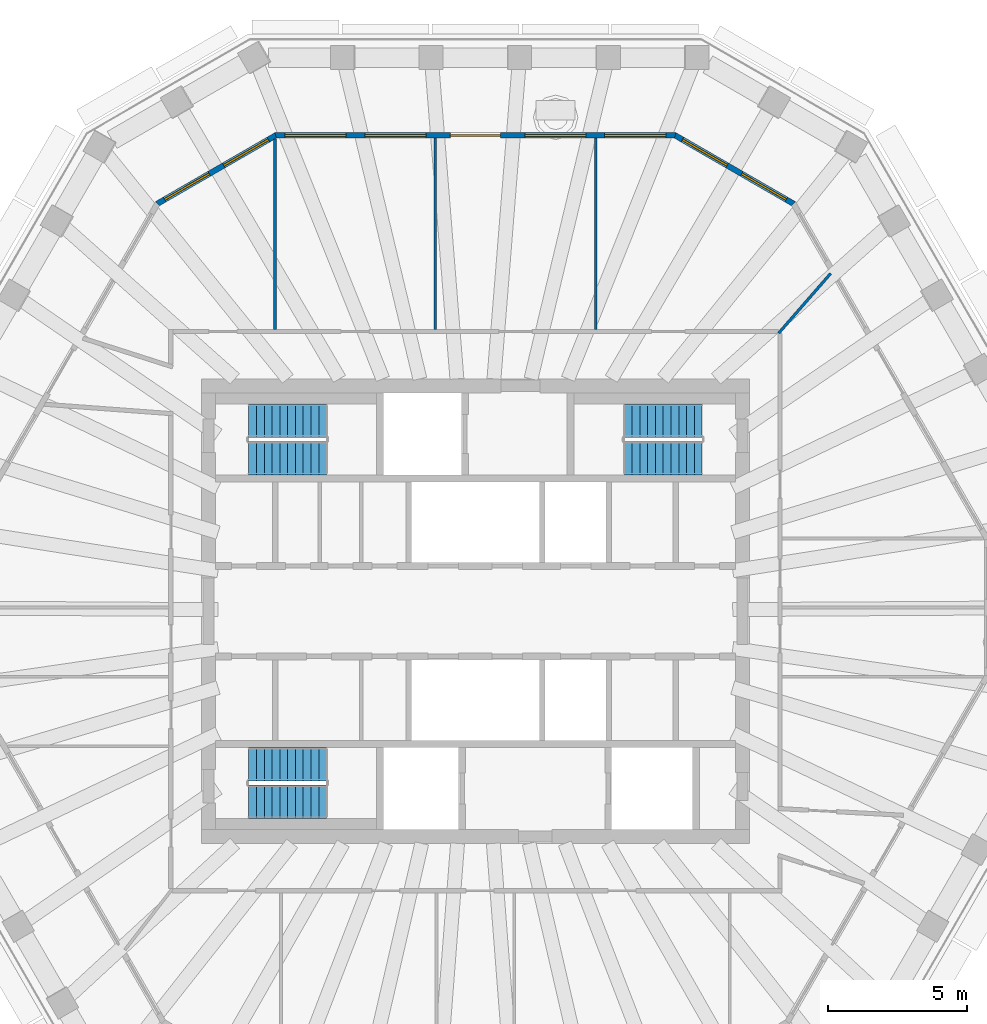
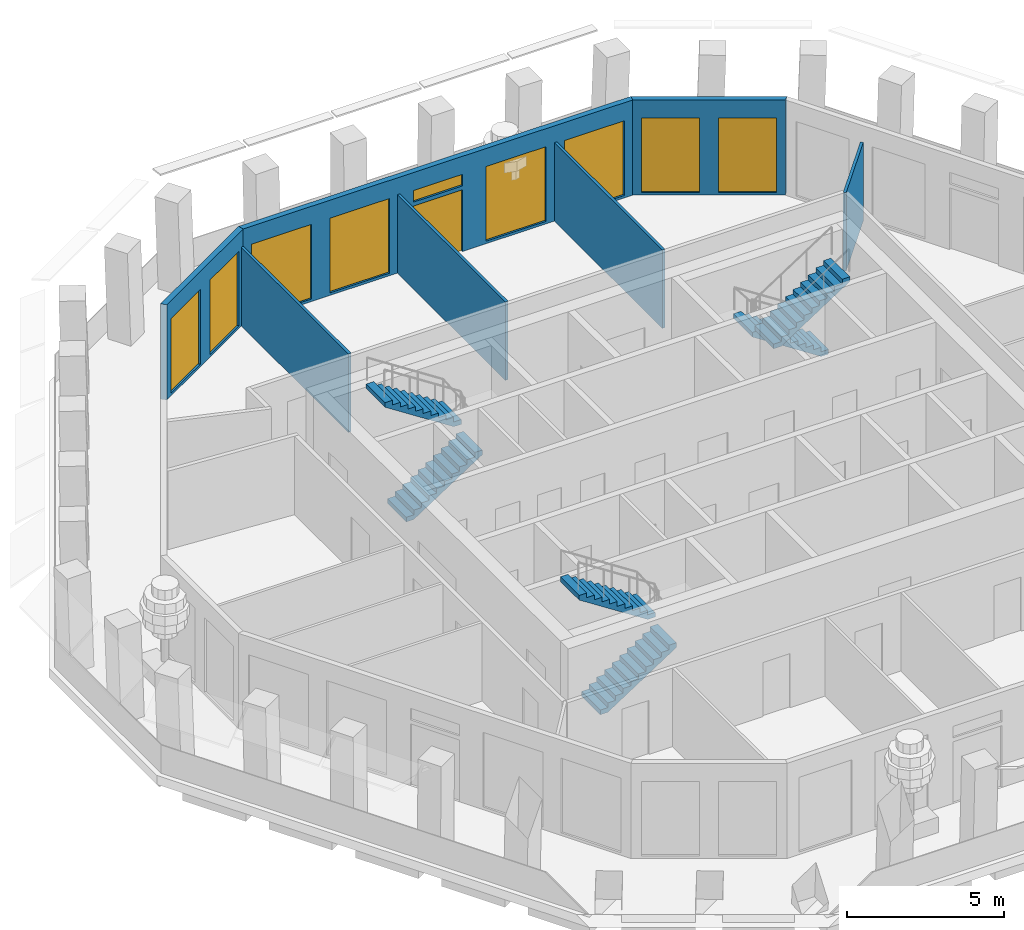
# One storey, part 7 of 11: 9 windows, 7 walls, 6 stair flights, 1 door, 10 openings, 3 elements without a shape of their own.
"""IFC4 building model written with IfcOpenShell, lengths in metres."""

from ifc_helpers import new_model, si_unit, direction, frame, frame_2d, origin, place, context, subcontext, project, spatial, polyline, rectangle, outline, extrude, material, layer, layer_set, type_object, element, fill, aggregate, save


model = new_model("IFC4")

# Units and contexts
model_context = context("Model", 3, precision=1e-05, world=origin(), true_north=direction((0.0, 1.0)))
body_context = subcontext(model_context, "Body", "Model", "MODEL_VIEW")
ifc_project = project(units=[si_unit("LENGTHUNIT", "METRE"), si_unit("AREAUNIT", "SQUARE_METRE"), si_unit("VOLUMEUNIT", "CUBIC_METRE"), si_unit("PLANEANGLEUNIT", "RADIAN"), si_unit("MASSUNIT", "GRAM", prefix="KILO")], contexts=[model_context])

# Site, building, storey
site_placement = place(None, origin())
site = spatial("IfcSite", under=ifc_project, at=site_placement, CompositionType="ELEMENT")
building_placement = place(site_placement, origin())
building = spatial("IfcBuilding", under=site, at=building_placement, Name="Frailejon Research Tower", CompositionType="ELEMENT")
storey_placement = place(building_placement, frame((0.0, 0.0, 312.60009765625)))
storey = spatial("IfcBuildingStorey", under=building, at=storey_placement, Name="L69", CompositionType="ELEMENT", Elevation=312.60009765625)

# Walls
ifc_material_1 = material(Name="Gypsum board and masonry partition", Category="masonry")
ifc_layer_1 = layer(ifc_material_1, 0.10009765625)
ifc_layer_set_1 = layer_set([ifc_layer_1], Name="Partition, gypsum on steel studs 100")
wall_type_1 = type_object("IfcWallType", Name="Partition, gypsum on steel studs 100", PredefinedType="PARTITIONING", material=ifc_layer_set_1)
wall_1_placement = place(storey_placement, frame((10.900634765625, 9.993408203125, 0.0), z_axis=(0.0, 0.0, 1.0), x_axis=(0.657050109443, 0.753846903344, 0.0)))
element("IfcWall", 1, at=wall_1_placement, inside=storey, type_object=wall_type_1, Name="T:IW:L69:014", PredefinedType="PARTITIONING", context=body_context, shape_type="SweptSolid", body=[
    extrude(rectangle(XDim=2.842529296875, YDim=0.10009765625, at=frame_2d((1.42138671875, 0.0))), origin(), (0.0, 0.0, 1.0), 3.0498046875),
])
for number, where, z_axis, x_axis, name in (
    (2, (4.3251953125, 10.125, 0.0), (0.0, 0.0, 1.0), (0.0, 1.0, 0.0), "T:IW:L69:015"),
    (3, (-1.44189453125, 10.125, 0.0), (0.0, 0.0, 1.0), (0.0, 1.0, 0.0), "T:IW:L69:016"),
):
    element("IfcWall", number, at=place(storey_placement, frame(where, z_axis=z_axis, x_axis=x_axis)), inside=storey, type_object=wall_type_1, Name=name, PredefinedType="PARTITIONING", context=body_context, shape_type="SweptSolid", body=[
        extrude(rectangle(XDim=6.875, YDim=0.10009765625, at=frame_2d((3.4375, 0.0))), origin(), (0.0, 0.0, 1.0), 3.0498046875),
    ])
wall_2_placement = place(storey_placement, frame((-7.208984375, 10.125, 0.0), z_axis=(0.0, 0.0, 1.0), x_axis=(0.0, 1.0, 0.0)))
element("IfcWall", 4, at=wall_2_placement, inside=storey, type_object=wall_type_1, Name="T:IW:L69:017", PredefinedType="PARTITIONING", context=body_context, shape_type="SweptSolid", body=[
    extrude(rectangle(XDim=6.843994140625, YDim=0.10009765625, at=frame_2d((3.421875, 0.0))), origin(), (0.0, 0.0, 1.0), 3.0498046875),
])

# Wall, openings, windows
ifc_material_2 = material(Name="Concrete C40/50 precast window wall panel", Category="concrete")
ifc_layer_2 = layer(ifc_material_2, 0.199951171875)
ifc_layer_set_2 = layer_set([ifc_layer_2], Name="Window wall 200")
wall_type_2 = type_object("IfcWallType", Name="Window wall 200", PredefinedType="SOLIDWALL", material=ifc_layer_set_2)
wall_3_placement = place(storey_placement, frame((11.435791015625, 14.644287109375, 0.0), z_axis=(0.0, 0.0, 1.0), x_axis=(-0.866029143232, 0.499993523031, 0.0)))
wall_3 = element("IfcWall", 5, at=wall_3_placement, inside=storey, type_object=wall_type_2, Name="Exterior wall L69", PredefinedType="SOLIDWALL", context=body_context, shape_type="SweptSolid", body=[
    extrude(outline(polyline([(-0.02685546875, -0.10009765625), (1.21435546875, -0.10009765625), (2.455810546875, -0.10009765625), (3.697265625, -0.10009765625), (4.9384765625, -0.10009765625), (4.884765625, 0.10009765625), (3.67041015625, 0.10009765625), (2.455810546875, 0.10009765625), (1.2412109375, 0.10009765625), (0.02685546875, 0.10009765625), (-0.02685546875, -0.10009765625)])), origin(), (0.0, 0.0, 1.0), 3.699951171875),
])
opening_1_placement = place(wall_3_placement, frame((0.302978515625, 0.0, 0.10009765625)))
opening_1 = element("IfcOpeningElement", 6, at=opening_1_placement, cuts=wall_3, Name="Opening W26", PredefinedType="OPENING", context=body_context, shape_type="SweptSolid", body=[
    extrude(rectangle(XDim=1.85009765625, YDim=2.89990234375, at=frame_2d((0.925048828125, 1.449951171875))), frame((0.0, 0.10986328125, 0.0), z_axis=(0.0, -1.0, 0.0), x_axis=(1.0, 0.0, 0.0)), (0.0, 0.0, 1.0), 0.219970703125),
])
opening_2_placement = place(wall_3_placement, frame((2.7587890625, 0.0, 0.10009765625)))
opening_2 = element("IfcOpeningElement", 7, at=opening_2_placement, cuts=wall_3, Name="Opening W26", PredefinedType="OPENING", context=body_context, shape_type="SweptSolid", body=[
    extrude(rectangle(XDim=1.85009765625, YDim=2.89990234375, at=frame_2d((0.925048828125, 1.449951171875))), frame((0.0, 0.10986328125, 0.0), z_axis=(0.0, -1.0, 0.0), x_axis=(1.0, 0.0, 0.0)), (0.0, 0.0, 1.0), 0.219970703125),
])
ifc_material_3 = material(Name="Aluminium framed double glazing", Category="aluminium")
window_type_1 = type_object("IfcWindowType", Name="Window 1850x2900", PartitioningType="SINGLE_PANEL", PredefinedType="WINDOW", material=ifc_material_3)
window_1_placement = place(opening_1_placement, origin())
window_1 = element("IfcWindow", 8, at=window_1_placement, inside=storey, type_object=window_type_1, Name="Window L69", OverallHeight=2.89990234375, OverallWidth=1.85009765625, PartitioningType="SINGLE_PANEL", PredefinedType="WINDOW", context=body_context, shape_type="SweptSolid", body=[
    extrude(rectangle(XDim=1.85009765625, YDim=2.89990234375, at=frame_2d((0.925048828125, 1.449951171875))), frame((0.0, 0.030029296875, 0.0), z_axis=(0.0, -1.0, 0.0), x_axis=(1.0, 0.0, 0.0)), (0.0, 0.0, 1.0), 0.06005859375),
])
fill(opening_1, window_1)
window_2_placement = place(opening_2_placement, origin())
window_2 = element("IfcWindow", 9, at=window_2_placement, inside=storey, type_object=window_type_1, Name="Window L69", OverallHeight=2.89990234375, OverallWidth=1.85009765625, PartitioningType="SINGLE_PANEL", PredefinedType="WINDOW", context=body_context, shape_type="SweptSolid", body=[
    extrude(rectangle(XDim=1.85009765625, YDim=2.89990234375, at=frame_2d((0.925048828125, 1.449951171875))), frame((0.0, 0.030029296875, 0.0), z_axis=(0.0, -1.0, 0.0), x_axis=(1.0, 0.0, 0.0)), (0.0, 0.0, 1.0), 0.06005859375),
])
fill(opening_2, window_2)

# Wall, openings, door, windows
wall_4_placement = place(storey_placement, frame((7.18212890625, 17.10009765625, 0.0), z_axis=(0.0, 0.0, 1.0), x_axis=(-1.0, 0.0, 0.0)))
wall_4 = element("IfcWall", 10, at=wall_4_placement, inside=storey, type_object=wall_type_2, Name="Exterior wall L69", PredefinedType="SOLIDWALL", context=body_context, shape_type="SweptSolid", body=[
    extrude(outline(polyline([(-0.02685546875, -0.10009765625), (1.0029296875, -0.10009765625), (2.032958984375, -0.10009765625), (3.062744140625, -0.10009765625), (4.092529296875, -0.10009765625), (5.122314453125, -0.10009765625), (6.15234375, -0.10009765625), (7.18212890625, -0.10009765625), (8.2119140625, -0.10009765625), (9.241943359375, -0.10009765625), (10.271728515625, -0.10009765625), (11.301513671875, -0.10009765625), (12.331298828125, -0.10009765625), (13.361328125, -0.10009765625), (14.39111328125, -0.10009765625), (14.33740234375, 0.10009765625), (13.315185546875, 0.10009765625), (12.29296875, 0.10009765625), (11.270751953125, 0.10009765625), (10.248779296875, 0.10009765625), (9.2265625, 0.10009765625), (8.204345703125, 0.10009765625), (7.18212890625, 0.10009765625), (6.159912109375, 0.10009765625), (5.1376953125, 0.10009765625), (4.115478515625, 0.10009765625), (3.093505859375, 0.10009765625), (2.0712890625, 0.10009765625), (1.049072265625, 0.10009765625), (0.02685546875, 0.10009765625), (-0.02685546875, -0.10009765625)])), origin(), (0.0, 0.0, 1.0), 3.699951171875),
])
opening_3_placement = place(wall_4_placement, frame((0.33642578125, 0.0, 0.10009765625)))
opening_3 = element("IfcOpeningElement", 11, at=opening_3_placement, cuts=wall_4, Name="Opening W28", PredefinedType="OPENING", context=body_context, shape_type="SweptSolid", body=[
    extrude(rectangle(XDim=2.199951171875, YDim=2.89990234375, at=frame_2d((1.10009765625, 1.449951171875))), frame((0.0, 0.10986328125, 0.0), z_axis=(0.0, -1.0, 0.0), x_axis=(1.0, 0.0, 0.0)), (0.0, 0.0, 1.0), 0.219970703125),
])
opening_4_placement = place(wall_4_placement, frame((3.209228515625, 0.0, 0.10009765625)))
opening_4 = element("IfcOpeningElement", 12, at=opening_4_placement, cuts=wall_4, Name="Opening W28", PredefinedType="OPENING", context=body_context, shape_type="SweptSolid", body=[
    extrude(rectangle(XDim=2.199951171875, YDim=2.89990234375, at=frame_2d((1.10009765625, 1.449951171875))), frame((0.0, 0.10986328125, 0.0), z_axis=(0.0, -1.0, 0.0), x_axis=(1.0, 0.0, 0.0)), (0.0, 0.0, 1.0), 0.219970703125),
])
opening_5_placement = place(wall_4_placement, frame((6.281982421875, 0.0, 0.0)))
opening_5 = element("IfcOpeningElement", 13, at=opening_5_placement, cuts=wall_4, Name="Opening LG69-2", PredefinedType="OPENING", context=body_context, shape_type="SweptSolid", body=[
    extrude(rectangle(XDim=1.800048828125, YDim=2.39990234375, at=frame_2d((0.89990234375, 1.199951171875))), frame((0.0, 0.10986328125, 0.0), z_axis=(0.0, -1.0, 0.0), x_axis=(1.0, 0.0, 0.0)), (0.0, 0.0, 1.0), 0.219970703125),
])
opening_6_placement = place(wall_4_placement, frame((6.281982421875, 0.0, 2.550048828125)))
opening_6 = element("IfcOpeningElement", 14, at=opening_6_placement, cuts=wall_4, Name="Opening W1", PredefinedType="OPENING", context=body_context, shape_type="SweptSolid", body=[
    extrude(rectangle(XDim=1.800048828125, YDim=0.449951171875, at=frame_2d((0.89990234375, 0.22509765625))), frame((0.0, 0.10986328125, 0.0), z_axis=(0.0, -1.0, 0.0), x_axis=(1.0, 0.0, 0.0)), (0.0, 0.0, 1.0), 0.219970703125),
])
opening_7_placement = place(wall_4_placement, frame((8.955078125, 0.0, 0.10009765625)))
opening_7 = element("IfcOpeningElement", 15, at=opening_7_placement, cuts=wall_4, Name="Opening W28", PredefinedType="OPENING", context=body_context, shape_type="SweptSolid", body=[
    extrude(rectangle(XDim=2.199951171875, YDim=2.89990234375, at=frame_2d((1.10009765625, 1.449951171875))), frame((0.0, 0.10986328125, 0.0), z_axis=(0.0, -1.0, 0.0), x_axis=(1.0, 0.0, 0.0)), (0.0, 0.0, 1.0), 0.219970703125),
])
opening_8_placement = place(wall_4_placement, frame((11.827880859375, 0.0, 0.10009765625)))
opening_8 = element("IfcOpeningElement", 16, at=opening_8_placement, cuts=wall_4, Name="Opening W28", PredefinedType="OPENING", context=body_context, shape_type="SweptSolid", body=[
    extrude(rectangle(XDim=2.199951171875, YDim=2.89990234375, at=frame_2d((1.10009765625, 1.449951171875))), frame((0.0, 0.10986328125, 0.0), z_axis=(0.0, -1.0, 0.0), x_axis=(1.0, 0.0, 0.0)), (0.0, 0.0, 1.0), 0.219970703125),
])
ifc_material_4 = material(Name="Aluminium framed glazed door leaf", Category="aluminium")
door_type = type_object("IfcDoorType", Name="Loggia door 1800x2400", OperationType="DOUBLE_DOOR_SINGLE_SWING", PredefinedType="DOOR", material=ifc_material_4)
door_placement = place(opening_5_placement, origin())
door = element("IfcDoor", 17, at=door_placement, inside=storey, type_object=door_type, Name="Door LG69-2", OperationType="DOUBLE_DOOR_SINGLE_SWING", OverallHeight=2.39990234375, OverallWidth=1.800048828125, PredefinedType="DOOR", context=body_context, shape_type="SweptSolid", body=[
    extrude(rectangle(XDim=1.800048828125, YDim=2.39990234375, at=frame_2d((0.89990234375, 1.199951171875))), frame((0.0, 0.02490234375, 0.0), z_axis=(0.0, -1.0, 0.0), x_axis=(1.0, 0.0, 0.0)), (0.0, 0.0, 1.0), 0.050048828125),
])
fill(opening_5, door)
ifc_material_5 = material(Name="Aluminium framed double glazing", Category="aluminium")
window_type_2 = type_object("IfcWindowType", Name="Window 1800x450", PartitioningType="SINGLE_PANEL", PredefinedType="WINDOW", material=ifc_material_5)
window_3_placement = place(opening_6_placement, origin())
window_3 = element("IfcWindow", 18, at=window_3_placement, inside=storey, type_object=window_type_2, Name="Window L69", OverallHeight=0.449951171875, OverallWidth=1.800048828125, PartitioningType="SINGLE_PANEL", PredefinedType="WINDOW", context=body_context, shape_type="SweptSolid", body=[
    extrude(rectangle(XDim=1.800048828125, YDim=0.449951171875, at=frame_2d((0.89990234375, 0.22509765625))), frame((0.0, 0.030029296875, 0.0), z_axis=(0.0, -1.0, 0.0), x_axis=(1.0, 0.0, 0.0)), (0.0, 0.0, 1.0), 0.06005859375),
])
fill(opening_6, window_3)
ifc_material_6 = material(Name="Aluminium framed double glazing", Category="aluminium")
window_type_3 = type_object("IfcWindowType", Name="Window 2200x2900", PartitioningType="SINGLE_PANEL", PredefinedType="WINDOW", material=ifc_material_6)
window_4_placement = place(opening_3_placement, origin())
window_4 = element("IfcWindow", 19, at=window_4_placement, inside=storey, type_object=window_type_3, Name="Window L69", OverallHeight=2.89990234375, OverallWidth=2.199951171875, PartitioningType="SINGLE_PANEL", PredefinedType="WINDOW", context=body_context, shape_type="SweptSolid", body=[
    extrude(rectangle(XDim=2.199951171875, YDim=2.89990234375, at=frame_2d((1.10009765625, 1.449951171875))), frame((0.0, 0.030029296875, 0.0), z_axis=(0.0, -1.0, 0.0), x_axis=(1.0, 0.0, 0.0)), (0.0, 0.0, 1.0), 0.06005859375),
])
fill(opening_3, window_4)
window_5_placement = place(opening_4_placement, origin())
window_5 = element("IfcWindow", 20, at=window_5_placement, inside=storey, type_object=window_type_3, Name="Window L69", OverallHeight=2.89990234375, OverallWidth=2.199951171875, PartitioningType="SINGLE_PANEL", PredefinedType="WINDOW", context=body_context, shape_type="SweptSolid", body=[
    extrude(rectangle(XDim=2.199951171875, YDim=2.89990234375, at=frame_2d((1.10009765625, 1.449951171875))), frame((0.0, 0.030029296875, 0.0), z_axis=(0.0, -1.0, 0.0), x_axis=(1.0, 0.0, 0.0)), (0.0, 0.0, 1.0), 0.06005859375),
])
fill(opening_4, window_5)
window_6_placement = place(opening_7_placement, origin())
window_6 = element("IfcWindow", 21, at=window_6_placement, inside=storey, type_object=window_type_3, Name="Window L69", OverallHeight=2.89990234375, OverallWidth=2.199951171875, PartitioningType="SINGLE_PANEL", PredefinedType="WINDOW", context=body_context, shape_type="SweptSolid", body=[
    extrude(rectangle(XDim=2.199951171875, YDim=2.89990234375, at=frame_2d((1.10009765625, 1.449951171875))), frame((0.0, 0.030029296875, 0.0), z_axis=(0.0, -1.0, 0.0), x_axis=(1.0, 0.0, 0.0)), (0.0, 0.0, 1.0), 0.06005859375),
])
fill(opening_7, window_6)
window_7_placement = place(opening_8_placement, origin())
window_7 = element("IfcWindow", 22, at=window_7_placement, inside=storey, type_object=window_type_3, Name="Window L69", OverallHeight=2.89990234375, OverallWidth=2.199951171875, PartitioningType="SINGLE_PANEL", PredefinedType="WINDOW", context=body_context, shape_type="SweptSolid", body=[
    extrude(rectangle(XDim=2.199951171875, YDim=2.89990234375, at=frame_2d((1.10009765625, 1.449951171875))), frame((0.0, 0.030029296875, 0.0), z_axis=(0.0, -1.0, 0.0), x_axis=(1.0, 0.0, 0.0)), (0.0, 0.0, 1.0), 0.06005859375),
])
fill(opening_8, window_7)

# Wall, openings, windows
wall_5_placement = place(storey_placement, frame((-7.18212890625, 17.10009765625, 0.0), z_axis=(0.0, 0.0, 1.0), x_axis=(-0.866029143232, -0.499993523031, 0.0)))
wall_5 = element("IfcWall", 23, at=wall_5_placement, inside=storey, type_object=wall_type_2, Name="Exterior wall L69", PredefinedType="SOLIDWALL", context=body_context, shape_type="SweptSolid", body=[
    extrude(outline(polyline([(-0.02685546875, -0.10009765625), (1.21435546875, -0.10009765625), (2.455810546875, -0.10009765625), (3.697265625, -0.10009765625), (4.9384765625, -0.10009765625), (4.884765625, 0.10009765625), (3.67041015625, 0.10009765625), (2.455810546875, 0.10009765625), (1.2412109375, 0.10009765625), (0.02685546875, 0.10009765625), (-0.02685546875, -0.10009765625)])), origin(), (0.0, 0.0, 1.0), 3.699951171875),
])
opening_9_placement = place(wall_5_placement, frame((0.302978515625, 0.0, 0.10009765625)))
opening_9 = element("IfcOpeningElement", 24, at=opening_9_placement, cuts=wall_5, Name="Opening W26", PredefinedType="OPENING", context=body_context, shape_type="SweptSolid", body=[
    extrude(rectangle(XDim=1.85009765625, YDim=2.89990234375, at=frame_2d((0.925048828125, 1.449951171875))), frame((0.0, 0.10986328125, 0.0), z_axis=(0.0, -1.0, 0.0), x_axis=(1.0, 0.0, 0.0)), (0.0, 0.0, 1.0), 0.219970703125),
])
opening_10_placement = place(wall_5_placement, frame((2.7587890625, 0.0, 0.10009765625)))
opening_10 = element("IfcOpeningElement", 25, at=opening_10_placement, cuts=wall_5, Name="Opening W26", PredefinedType="OPENING", context=body_context, shape_type="SweptSolid", body=[
    extrude(rectangle(XDim=1.85009765625, YDim=2.89990234375, at=frame_2d((0.925048828125, 1.449951171875))), frame((0.0, 0.10986328125, 0.0), z_axis=(0.0, -1.0, 0.0), x_axis=(1.0, 0.0, 0.0)), (0.0, 0.0, 1.0), 0.219970703125),
])
window_8_placement = place(opening_9_placement, origin())
window_8 = element("IfcWindow", 26, at=window_8_placement, inside=storey, type_object=window_type_1, Name="Window L69", OverallHeight=2.89990234375, OverallWidth=1.85009765625, PartitioningType="SINGLE_PANEL", PredefinedType="WINDOW", context=body_context, shape_type="SweptSolid", body=[
    extrude(rectangle(XDim=1.85009765625, YDim=2.89990234375, at=frame_2d((0.925048828125, 1.449951171875))), frame((0.0, 0.030029296875, 0.0), z_axis=(0.0, -1.0, 0.0), x_axis=(1.0, 0.0, 0.0)), (0.0, 0.0, 1.0), 0.06005859375),
])
fill(opening_9, window_8)
window_9_placement = place(opening_10_placement, origin())
window_9 = element("IfcWindow", 27, at=window_9_placement, inside=storey, type_object=window_type_1, Name="Window L69", OverallHeight=2.89990234375, OverallWidth=1.85009765625, PartitioningType="SINGLE_PANEL", PredefinedType="WINDOW", context=body_context, shape_type="SweptSolid", body=[
    extrude(rectangle(XDim=1.85009765625, YDim=2.89990234375, at=frame_2d((0.925048828125, 1.449951171875))), frame((0.0, 0.030029296875, 0.0), z_axis=(0.0, -1.0, 0.0), x_axis=(1.0, 0.0, 0.0)), (0.0, 0.0, 1.0), 0.06005859375),
])
fill(opening_10, window_9)

# Stair, stair flights
ifc_material_7 = material(Name="Concrete C50/60", Category="concrete")
stair_type = type_object("IfcStairType", Name="Exit stair 22 risers", PredefinedType="HALF_TURN_STAIR", material=ifc_material_7)
stair_1_placement = place(storey_placement, origin())
stair_1 = element("IfcStair", 28, at=stair_1_placement, inside=storey, type_object=stair_type, Name="L69 Exit stair ST1", PredefinedType="HALF_TURN_STAIR")
ifc_material_8 = material(Name="Concrete C50/60", Category="concrete")
ifc_layer_3 = layer(ifc_material_8, 0.14990234375)
ifc_layer_set_3 = layer_set([ifc_layer_3], Name="Stair flight 11 risers")
stair_flight_type = type_object("IfcStairFlightType", Name="Stair flight 11 risers", PredefinedType="STRAIGHT", material=ifc_layer_set_3)
stair_flight_1_placement = place(storey_placement, frame((-8.14990234375, 5.5, 0.0), z_axis=(0.0, 0.0, 1.0), x_axis=(1.0, 0.0, 0.0)))
stair_flight_1 = element("IfcStairFlight", 29, at=stair_flight_1_placement, type_object=stair_flight_type, Name="ST1 flight 1", NumberOfRisers=11, NumberOfTreads=10, PredefinedType="STRAIGHT", RiserHeight=0.181818182, TreadLength=0.28, context=body_context, shape_type="SweptSolid", body=[
    extrude(outline(polyline([(0.0, 0.0), (0.0, 0.181884765625), (0.280029296875, 0.181884765625), (0.280029296875, 0.363525390625), (0.56005859375, 0.363525390625), (0.56005859375, 0.54541015625), (0.840087890625, 0.54541015625), (0.840087890625, 0.727294921875), (1.1201171875, 0.727294921875), (1.1201171875, 0.9091796875), (1.39990234375, 0.9091796875), (1.39990234375, 1.0908203125), (1.679931640625, 1.0908203125), (1.679931640625, 1.272705078125), (1.9599609375, 1.272705078125), (1.9599609375, 1.45458984375), (2.239990234375, 1.45458984375), (2.239990234375, 1.636474609375), (2.52001953125, 1.636474609375), (2.52001953125, 1.818115234375), (2.800048828125, 1.818115234375), (2.800048828125, 2.0), (2.800048828125, 1.639404296875), (0.275146484375, 0.0), (0.0, 0.0)])), frame((0.0, 0.60009765625, 0.0), z_axis=(0.0, -1.0, 0.0), x_axis=(1.0, 0.0, 0.0)), (0.0, 0.0, 1.0), 1.199951171875),
])
stair_flight_2_placement = place(storey_placement, frame((-5.35009765625, 6.85009765625, 2.0), z_axis=(0.0, 0.0, 1.0), x_axis=(-1.0, 0.0, 0.0)))
stair_flight_2 = element("IfcStairFlight", 30, at=stair_flight_2_placement, type_object=stair_flight_type, Name="ST1 flight 2", NumberOfRisers=11, NumberOfTreads=10, PredefinedType="STRAIGHT", RiserHeight=0.181818182, TreadLength=0.28, context=body_context, shape_type="SweptSolid", body=[
    extrude(outline(polyline([(0.0, 0.0), (0.0, 0.181884765625), (0.280029296875, 0.181884765625), (0.280029296875, 0.363525390625), (0.56005859375, 0.363525390625), (0.56005859375, 0.54541015625), (0.840087890625, 0.54541015625), (0.840087890625, 0.727294921875), (1.1201171875, 0.727294921875), (1.1201171875, 0.9091796875), (1.39990234375, 0.9091796875), (1.39990234375, 1.0908203125), (1.679931640625, 1.0908203125), (1.679931640625, 1.272705078125), (1.9599609375, 1.272705078125), (1.9599609375, 1.45458984375), (2.239990234375, 1.45458984375), (2.239990234375, 1.636474609375), (2.52001953125, 1.636474609375), (2.52001953125, 1.818115234375), (2.800048828125, 1.818115234375), (2.800048828125, 2.0), (2.800048828125, 1.639404296875), (0.275146484375, 0.0), (0.0, 0.0)])), frame((0.0, 0.60009765625, 0.0), z_axis=(0.0, -1.0, 0.0), x_axis=(1.0, 0.0, 0.0)), (0.0, 0.0, 1.0), 1.199951171875),
])
aggregate(stair_1, [stair_flight_1, stair_flight_2])

stair_2_placement = place(storey_placement, origin())
stair_2 = element("IfcStair", 31, at=stair_2_placement, inside=storey, type_object=stair_type, Name="L69 Exit stair ST2", PredefinedType="HALF_TURN_STAIR")
stair_flight_3_placement = place(storey_placement, frame((-8.14990234375, -6.85009765625, 0.0), z_axis=(0.0, 0.0, 1.0), x_axis=(1.0, 0.0, 0.0)))
stair_flight_3 = element("IfcStairFlight", 32, at=stair_flight_3_placement, type_object=stair_flight_type, Name="ST2 flight 1", NumberOfRisers=11, NumberOfTreads=10, PredefinedType="STRAIGHT", RiserHeight=0.181818182, TreadLength=0.28, context=body_context, shape_type="SweptSolid", body=[
    extrude(outline(polyline([(0.0, 0.0), (0.0, 0.181884765625), (0.280029296875, 0.181884765625), (0.280029296875, 0.363525390625), (0.56005859375, 0.363525390625), (0.56005859375, 0.54541015625), (0.840087890625, 0.54541015625), (0.840087890625, 0.727294921875), (1.1201171875, 0.727294921875), (1.1201171875, 0.9091796875), (1.39990234375, 0.9091796875), (1.39990234375, 1.0908203125), (1.679931640625, 1.0908203125), (1.679931640625, 1.272705078125), (1.9599609375, 1.272705078125), (1.9599609375, 1.45458984375), (2.239990234375, 1.45458984375), (2.239990234375, 1.636474609375), (2.52001953125, 1.636474609375), (2.52001953125, 1.818115234375), (2.800048828125, 1.818115234375), (2.800048828125, 2.0), (2.800048828125, 1.639404296875), (0.275146484375, 0.0), (0.0, 0.0)])), frame((0.0, 0.60009765625, 0.0), z_axis=(0.0, -1.0, 0.0), x_axis=(1.0, 0.0, 0.0)), (0.0, 0.0, 1.0), 1.199951171875),
])
stair_flight_4_placement = place(storey_placement, frame((-5.35009765625, -5.5, 2.0), z_axis=(0.0, 0.0, 1.0), x_axis=(-1.0, 0.0, 0.0)))
stair_flight_4 = element("IfcStairFlight", 33, at=stair_flight_4_placement, type_object=stair_flight_type, Name="ST2 flight 2", NumberOfRisers=11, NumberOfTreads=10, PredefinedType="STRAIGHT", RiserHeight=0.181818182, TreadLength=0.28, context=body_context, shape_type="SweptSolid", body=[
    extrude(outline(polyline([(0.0, 0.0), (0.0, 0.181884765625), (0.280029296875, 0.181884765625), (0.280029296875, 0.363525390625), (0.56005859375, 0.363525390625), (0.56005859375, 0.54541015625), (0.840087890625, 0.54541015625), (0.840087890625, 0.727294921875), (1.1201171875, 0.727294921875), (1.1201171875, 0.9091796875), (1.39990234375, 0.9091796875), (1.39990234375, 1.0908203125), (1.679931640625, 1.0908203125), (1.679931640625, 1.272705078125), (1.9599609375, 1.272705078125), (1.9599609375, 1.45458984375), (2.239990234375, 1.45458984375), (2.239990234375, 1.636474609375), (2.52001953125, 1.636474609375), (2.52001953125, 1.818115234375), (2.800048828125, 1.818115234375), (2.800048828125, 2.0), (2.800048828125, 1.639404296875), (0.275146484375, 0.0), (0.0, 0.0)])), frame((0.0, 0.60009765625, 0.0), z_axis=(0.0, -1.0, 0.0), x_axis=(1.0, 0.0, 0.0)), (0.0, 0.0, 1.0), 1.199951171875),
])
aggregate(stair_2, [stair_flight_3, stair_flight_4])

stair_3_placement = place(storey_placement, origin())
stair_3 = element("IfcStair", 34, at=stair_3_placement, inside=storey, type_object=stair_type, Name="L69 Exit stair ST3", PredefinedType="HALF_TURN_STAIR")
stair_flight_5_placement = place(storey_placement, frame((8.14990234375, 6.85009765625, 0.0), z_axis=(0.0, 0.0, 1.0), x_axis=(-1.0, 0.0, 0.0)))
stair_flight_5 = element("IfcStairFlight", 35, at=stair_flight_5_placement, type_object=stair_flight_type, Name="ST3 flight 1", NumberOfRisers=11, NumberOfTreads=10, PredefinedType="STRAIGHT", RiserHeight=0.181818182, TreadLength=0.28, context=body_context, shape_type="SweptSolid", body=[
    extrude(outline(polyline([(0.0, 0.0), (0.0, 0.181884765625), (0.280029296875, 0.181884765625), (0.280029296875, 0.363525390625), (0.56005859375, 0.363525390625), (0.56005859375, 0.54541015625), (0.840087890625, 0.54541015625), (0.840087890625, 0.727294921875), (1.1201171875, 0.727294921875), (1.1201171875, 0.9091796875), (1.39990234375, 0.9091796875), (1.39990234375, 1.0908203125), (1.679931640625, 1.0908203125), (1.679931640625, 1.272705078125), (1.9599609375, 1.272705078125), (1.9599609375, 1.45458984375), (2.239990234375, 1.45458984375), (2.239990234375, 1.636474609375), (2.52001953125, 1.636474609375), (2.52001953125, 1.818115234375), (2.800048828125, 1.818115234375), (2.800048828125, 2.0), (2.800048828125, 1.639404296875), (0.275146484375, 0.0), (0.0, 0.0)])), frame((0.0, 0.60009765625, 0.0), z_axis=(0.0, -1.0, 0.0), x_axis=(1.0, 0.0, 0.0)), (0.0, 0.0, 1.0), 1.199951171875),
])
stair_flight_6_placement = place(storey_placement, frame((5.35009765625, 5.5, 2.0), z_axis=(0.0, 0.0, 1.0), x_axis=(1.0, 0.0, 0.0)))
stair_flight_6 = element("IfcStairFlight", 36, at=stair_flight_6_placement, type_object=stair_flight_type, Name="ST3 flight 2", NumberOfRisers=11, NumberOfTreads=10, PredefinedType="STRAIGHT", RiserHeight=0.181818182, TreadLength=0.28, context=body_context, shape_type="SweptSolid", body=[
    extrude(outline(polyline([(0.0, 0.0), (0.0, 0.181884765625), (0.280029296875, 0.181884765625), (0.280029296875, 0.363525390625), (0.56005859375, 0.363525390625), (0.56005859375, 0.54541015625), (0.840087890625, 0.54541015625), (0.840087890625, 0.727294921875), (1.1201171875, 0.727294921875), (1.1201171875, 0.9091796875), (1.39990234375, 0.9091796875), (1.39990234375, 1.0908203125), (1.679931640625, 1.0908203125), (1.679931640625, 1.272705078125), (1.9599609375, 1.272705078125), (1.9599609375, 1.45458984375), (2.239990234375, 1.45458984375), (2.239990234375, 1.636474609375), (2.52001953125, 1.636474609375), (2.52001953125, 1.818115234375), (2.800048828125, 1.818115234375), (2.800048828125, 2.0), (2.800048828125, 1.639404296875), (0.275146484375, 0.0), (0.0, 0.0)])), frame((0.0, 0.60009765625, 0.0), z_axis=(0.0, -1.0, 0.0), x_axis=(1.0, 0.0, 0.0)), (0.0, 0.0, 1.0), 1.199951171875),
])
aggregate(stair_3, [stair_flight_5, stair_flight_6])

save(model, "model.ifc")
